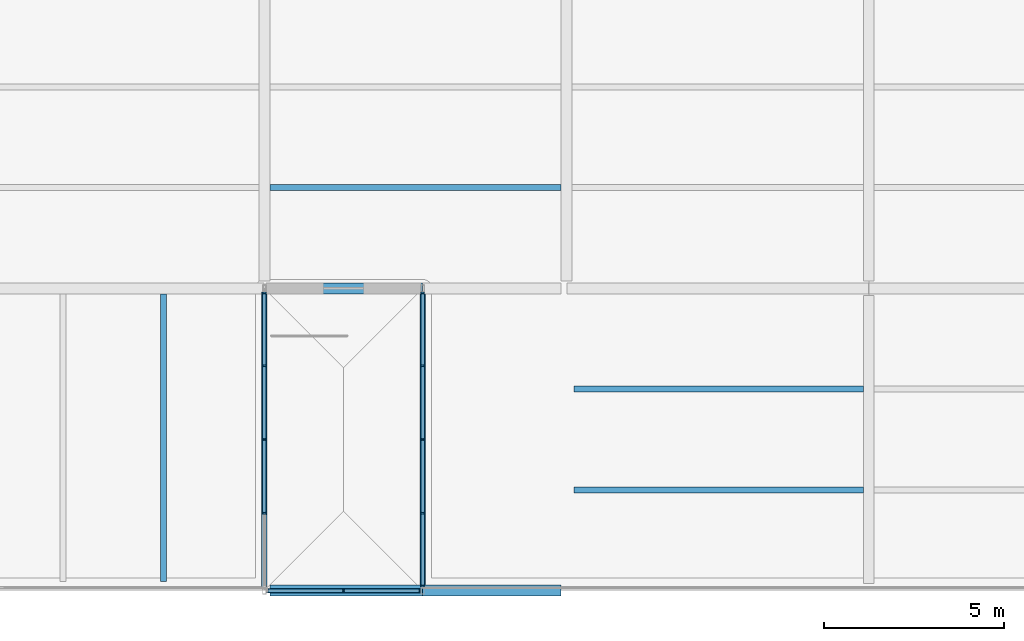
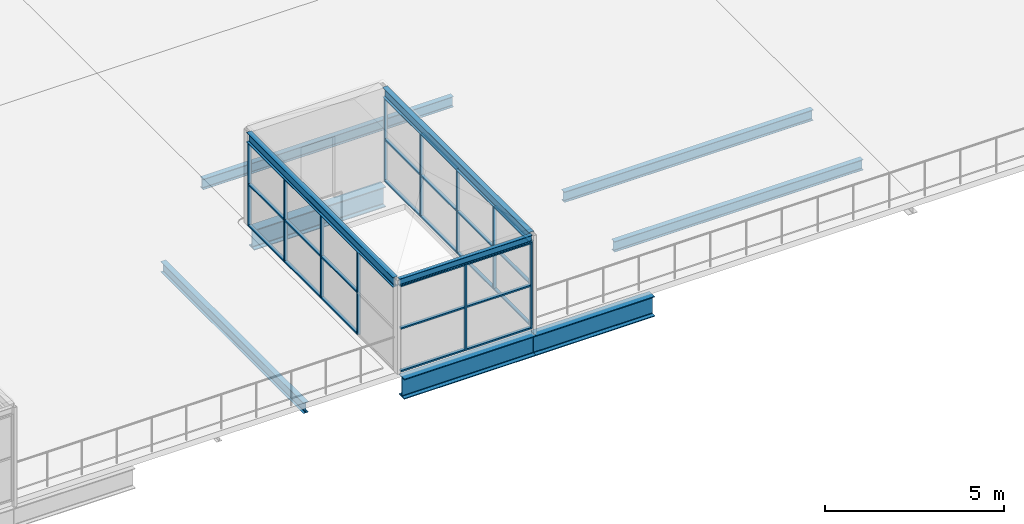
# One storey, part 15 of 58: 38 members, 10 beams, 3 elements without a shape of their own.
"""IFC4 building model written with IfcOpenShell, lengths in metres."""

from ifc_helpers import new_model, si_unit, direction, frame, origin, origin_2d, place, context, subcontext, project, spatial, rectangle, i_section, extrude, material, layer, layer_set, material_profile, profile_set, type_object, element, aggregate, save


model = new_model("IFC4")

# Units and contexts
model_context = context("Model", 3, precision=1e-05, world=origin(), true_north=direction((0.0, 1.0)))
body_context = subcontext(model_context, "Body", "Model", "MODEL_VIEW")
ifc_project = project(units=[si_unit("LENGTHUNIT", "METRE"), si_unit("AREAUNIT", "SQUARE_METRE"), si_unit("VOLUMEUNIT", "CUBIC_METRE"), si_unit("PLANEANGLEUNIT", "RADIAN"), si_unit("MASSUNIT", "GRAM", prefix="KILO")], contexts=[model_context])

# Site, building, storey
site_placement = place(None, origin())
site = spatial("IfcSite", under=ifc_project, at=site_placement, CompositionType="ELEMENT")
building_placement = place(site_placement, origin())
building = spatial("IfcBuilding", under=site, at=building_placement, Name="Galleria Vessillo Department Store", CompositionType="ELEMENT")
storey_placement = place(building_placement, frame((0.0, 0.0, 31.199951171875)))
storey = spatial("IfcBuildingStorey", under=building, at=storey_placement, Name="L06", CompositionType="ELEMENT", Elevation=31.199951171875)

# Curtain wall, members
ifc_material_1 = material(Name="Aluminium and glass curtain wall", Category="aluminium")
ifc_layer = layer(ifc_material_1, 0.10009765625)
ifc_layer_set = layer_set([ifc_layer], Name="Aluminium and glass curtain wall")
curtain_wall_type = type_object("IfcCurtainWallType", Name="Pavilion curtain wall CW5 2100 module", PredefinedType="NOTDEFINED", material=ifc_layer_set)
curtain_wall_1_placement = place(storey_placement, origin())
curtain_wall_1 = element("IfcCurtainWall", 1, at=curtain_wall_1_placement, inside=storey, type_object=curtain_wall_type, Name="Pavilion curtain wall CW5 2100 module PV-ST10-A", PredefinedType="NOTDEFINED")
ifc_material_2 = material(Name="Aluminium alloy 6063 T6", Category="aluminium")
ifc_material_profile_1 = material_profile(ifc_material_2, rectangle(XDim=0.10009765625, YDim=0.050048828125, at=origin_2d()), Name="AL 50x100")
ifc_profile_set_1 = profile_set([ifc_material_profile_1], Name="Aluminium alloy 6063 T6")
member_type_1 = type_object("IfcMemberType", Name="Aluminium mullion 50 x 100", PredefinedType="MULLION", material=ifc_profile_set_1)
member_1_placement = place(storey_placement, frame((50.39990234375, 2.14990234375, 0.0), z_axis=(0.0, 0.0, 1.0), x_axis=(-1.0, 0.0, 0.0)))
member_1 = element("IfcMember", 2, at=member_1_placement, type_object=member_type_1, Name="CW5 mullion 2", PredefinedType="MULLION", context=body_context, shape_type="SweptSolid", body=[
    extrude(rectangle(XDim=0.10009765625, YDim=0.050048828125, at=origin_2d()), origin(), (0.0, 0.0, 1.0), 2.8701171875),
])
member_2_placement = place(storey_placement, frame((50.39990234375, 4.199951171875, 0.0), z_axis=(0.0, 0.0, 1.0), x_axis=(-1.0, 0.0, 0.0)))
member_2 = element("IfcMember", 3, at=member_2_placement, type_object=member_type_1, Name="CW5 mullion 3", PredefinedType="MULLION", context=body_context, shape_type="SweptSolid", body=[
    extrude(rectangle(XDim=0.10009765625, YDim=0.050048828125, at=origin_2d()), origin(), (0.0, 0.0, 1.0), 2.8701171875),
])
member_3_placement = place(storey_placement, frame((50.39990234375, 6.25, 0.0), z_axis=(0.0, 0.0, 1.0), x_axis=(-1.0, 0.0, 0.0)))
member_3 = element("IfcMember", 4, at=member_3_placement, type_object=member_type_1, Name="CW5 mullion 4", PredefinedType="MULLION", context=body_context, shape_type="SweptSolid", body=[
    extrude(rectangle(XDim=0.10009765625, YDim=0.050048828125, at=origin_2d()), origin(), (0.0, 0.0, 1.0), 2.8701171875),
])
member_4_placement = place(storey_placement, frame((50.39990234375, 8.27490234375, 0.0), z_axis=(0.0, 0.0, 1.0), x_axis=(-1.0, 0.0, 0.0)))
member_4 = element("IfcMember", 5, at=member_4_placement, type_object=member_type_1, Name="CW5 mullion 5", PredefinedType="MULLION", context=body_context, shape_type="SweptSolid", body=[
    extrude(rectangle(XDim=0.10009765625, YDim=0.050048828125, at=origin_2d()), origin(), (0.0, 0.0, 1.0), 2.8701171875),
])

curtain_wall_2_placement = place(storey_placement, origin())
curtain_wall_2 = element("IfcCurtainWall", 6, at=curtain_wall_2_placement, inside=storey, type_object=curtain_wall_type, Name="Pavilion curtain wall CW5 2100 module PV-ST10-B", PredefinedType="NOTDEFINED")
member_5_placement = place(storey_placement, frame((54.800048828125, 0.125, 0.0), z_axis=(0.0, 0.0, 1.0), x_axis=(-1.0, 0.0, 0.0)))
member_5 = element("IfcMember", 7, at=member_5_placement, type_object=member_type_1, Name="CW5 mullion 1", PredefinedType="MULLION", context=body_context, shape_type="SweptSolid", body=[
    extrude(rectangle(XDim=0.10009765625, YDim=0.050048828125, at=origin_2d()), origin(), (0.0, 0.0, 1.0), 2.8701171875),
])
member_6_placement = place(storey_placement, frame((54.800048828125, 2.14990234375, 0.0), z_axis=(0.0, 0.0, 1.0), x_axis=(-1.0, 0.0, 0.0)))
member_6 = element("IfcMember", 8, at=member_6_placement, type_object=member_type_1, Name="CW5 mullion 2", PredefinedType="MULLION", context=body_context, shape_type="SweptSolid", body=[
    extrude(rectangle(XDim=0.10009765625, YDim=0.050048828125, at=origin_2d()), origin(), (0.0, 0.0, 1.0), 2.8701171875),
])
member_7_placement = place(storey_placement, frame((54.800048828125, 4.199951171875, 0.0), z_axis=(0.0, 0.0, 1.0), x_axis=(-1.0, 0.0, 0.0)))
member_7 = element("IfcMember", 9, at=member_7_placement, type_object=member_type_1, Name="CW5 mullion 3", PredefinedType="MULLION", context=body_context, shape_type="SweptSolid", body=[
    extrude(rectangle(XDim=0.10009765625, YDim=0.050048828125, at=origin_2d()), origin(), (0.0, 0.0, 1.0), 2.8701171875),
])
member_8_placement = place(storey_placement, frame((54.800048828125, 6.25, 0.0), z_axis=(0.0, 0.0, 1.0), x_axis=(-1.0, 0.0, 0.0)))
member_8 = element("IfcMember", 10, at=member_8_placement, type_object=member_type_1, Name="CW5 mullion 4", PredefinedType="MULLION", context=body_context, shape_type="SweptSolid", body=[
    extrude(rectangle(XDim=0.10009765625, YDim=0.050048828125, at=origin_2d()), origin(), (0.0, 0.0, 1.0), 2.8701171875),
])
member_9_placement = place(storey_placement, frame((54.800048828125, 8.27490234375, 0.0), z_axis=(0.0, 0.0, 1.0), x_axis=(-1.0, 0.0, 0.0)))
member_9 = element("IfcMember", 11, at=member_9_placement, type_object=member_type_1, Name="CW5 mullion 5", PredefinedType="MULLION", context=body_context, shape_type="SweptSolid", body=[
    extrude(rectangle(XDim=0.10009765625, YDim=0.050048828125, at=origin_2d()), origin(), (0.0, 0.0, 1.0), 2.8701171875),
])

curtain_wall_3_placement = place(storey_placement, origin())
curtain_wall_3 = element("IfcCurtainWall", 12, at=curtain_wall_3_placement, inside=storey, type_object=curtain_wall_type, Name="Pavilion curtain wall CW5 2100 module PV-ST10-F", PredefinedType="NOTDEFINED")
member_10_placement = place(storey_placement, frame((52.60009765625, 0.0, 0.0), z_axis=(0.0, 0.0, 1.0), x_axis=(0.0, 1.0, 0.0)))
member_10 = element("IfcMember", 13, at=member_10_placement, type_object=member_type_1, Name="CW5 mullion 2", PredefinedType="MULLION", context=body_context, shape_type="SweptSolid", body=[
    extrude(rectangle(XDim=0.10009765625, YDim=0.050048828125, at=origin_2d()), origin(), (0.0, 0.0, 1.0), 2.960205078125),
])
member_11_placement = place(storey_placement, frame((54.72509765625, 0.0, 0.0), z_axis=(0.0, 0.0, 1.0), x_axis=(0.0, 1.0, 0.0)))
member_11 = element("IfcMember", 14, at=member_11_placement, type_object=member_type_1, Name="CW5 mullion 3", PredefinedType="MULLION", context=body_context, shape_type="SweptSolid", body=[
    extrude(rectangle(XDim=0.10009765625, YDim=0.050048828125, at=origin_2d()), origin(), (0.0, 0.0, 1.0), 2.960205078125),
])

# Member
ifc_material_3 = material(Name="Aluminium alloy 6063 T6", Category="aluminium")
ifc_material_profile_2 = material_profile(ifc_material_3, rectangle(XDim=0.10009765625, YDim=0.050048828125, at=origin_2d()), Name="AL 50x100")
ifc_profile_set_2 = profile_set([ifc_material_profile_2], Name="Aluminium alloy 6063 T6")
member_type_2 = type_object("IfcMemberType", Name="Aluminium transom 50 x 100", PredefinedType="USERDEFINED", material=ifc_profile_set_2)
member_12_placement = place(storey_placement, frame((50.39990234375, 2.175048828125, 0.025146484375), z_axis=(0.0, 1.0, 0.0), x_axis=(-1.0, 0.0, 0.0)))
member_12 = element("IfcMember", 15, at=member_12_placement, type_object=member_type_2, Name="CW5 transom 2.1", ObjectType="TRANSOM", PredefinedType="USERDEFINED", context=body_context, shape_type="SweptSolid", body=[
    extrude(rectangle(XDim=0.10009765625, YDim=0.050048828125, at=origin_2d()), origin(), (0.0, 0.0, 1.0), 2.0),
])

member_13_placement = place(storey_placement, frame((50.39990234375, 2.175048828125, 1.43505859375), z_axis=(0.0, 1.0, 0.0), x_axis=(-1.0, 0.0, 0.0)))
member_13 = element("IfcMember", 16, at=member_13_placement, type_object=member_type_2, Name="CW5 transom 2.2", ObjectType="TRANSOM", PredefinedType="USERDEFINED", context=body_context, shape_type="SweptSolid", body=[
    extrude(rectangle(XDim=0.10009765625, YDim=0.050048828125, at=origin_2d()), origin(), (0.0, 0.0, 1.0), 2.0),
])

member_14_placement = place(storey_placement, frame((50.39990234375, 2.175048828125, 2.84521484375), z_axis=(0.0, 1.0, 0.0), x_axis=(-1.0, 0.0, 0.0)))
member_14 = element("IfcMember", 17, at=member_14_placement, type_object=member_type_2, Name="CW5 transom 2.3", ObjectType="TRANSOM", PredefinedType="USERDEFINED", context=body_context, shape_type="SweptSolid", body=[
    extrude(rectangle(XDim=0.10009765625, YDim=0.050048828125, at=origin_2d()), origin(), (0.0, 0.0, 1.0), 2.0),
])

member_15_placement = place(storey_placement, frame((50.39990234375, 4.224853515625, 0.025146484375), z_axis=(0.0, 1.0, 0.0), x_axis=(-1.0, 0.0, 0.0)))
member_15 = element("IfcMember", 18, at=member_15_placement, type_object=member_type_2, Name="CW5 transom 3.1", ObjectType="TRANSOM", PredefinedType="USERDEFINED", context=body_context, shape_type="SweptSolid", body=[
    extrude(rectangle(XDim=0.10009765625, YDim=0.050048828125, at=origin_2d()), origin(), (0.0, 0.0, 1.0), 2.0),
])

member_16_placement = place(storey_placement, frame((50.39990234375, 4.224853515625, 1.43505859375), z_axis=(0.0, 1.0, 0.0), x_axis=(-1.0, 0.0, 0.0)))
member_16 = element("IfcMember", 19, at=member_16_placement, type_object=member_type_2, Name="CW5 transom 3.2", ObjectType="TRANSOM", PredefinedType="USERDEFINED", context=body_context, shape_type="SweptSolid", body=[
    extrude(rectangle(XDim=0.10009765625, YDim=0.050048828125, at=origin_2d()), origin(), (0.0, 0.0, 1.0), 2.0),
])

member_17_placement = place(storey_placement, frame((50.39990234375, 4.224853515625, 2.84521484375), z_axis=(0.0, 1.0, 0.0), x_axis=(-1.0, 0.0, 0.0)))
member_17 = element("IfcMember", 20, at=member_17_placement, type_object=member_type_2, Name="CW5 transom 3.3", ObjectType="TRANSOM", PredefinedType="USERDEFINED", context=body_context, shape_type="SweptSolid", body=[
    extrude(rectangle(XDim=0.10009765625, YDim=0.050048828125, at=origin_2d()), origin(), (0.0, 0.0, 1.0), 2.0),
])

member_18_placement = place(storey_placement, frame((50.39990234375, 6.27490234375, 0.025146484375), z_axis=(0.0, 1.0, 0.0), x_axis=(-1.0, 0.0, 0.0)))
member_18 = element("IfcMember", 21, at=member_18_placement, type_object=member_type_2, Name="CW5 transom 4.1", ObjectType="TRANSOM", PredefinedType="USERDEFINED", context=body_context, shape_type="SweptSolid", body=[
    extrude(rectangle(XDim=0.10009765625, YDim=0.050048828125, at=origin_2d()), origin(), (0.0, 0.0, 1.0), 1.97509765625),
])

member_19_placement = place(storey_placement, frame((50.39990234375, 6.27490234375, 1.43505859375), z_axis=(0.0, 1.0, 0.0), x_axis=(-1.0, 0.0, 0.0)))
member_19 = element("IfcMember", 22, at=member_19_placement, type_object=member_type_2, Name="CW5 transom 4.2", ObjectType="TRANSOM", PredefinedType="USERDEFINED", context=body_context, shape_type="SweptSolid", body=[
    extrude(rectangle(XDim=0.10009765625, YDim=0.050048828125, at=origin_2d()), origin(), (0.0, 0.0, 1.0), 1.97509765625),
])

member_20_placement = place(storey_placement, frame((50.39990234375, 6.27490234375, 2.84521484375), z_axis=(0.0, 1.0, 0.0), x_axis=(-1.0, 0.0, 0.0)))
member_20 = element("IfcMember", 23, at=member_20_placement, type_object=member_type_2, Name="CW5 transom 4.3", ObjectType="TRANSOM", PredefinedType="USERDEFINED", context=body_context, shape_type="SweptSolid", body=[
    extrude(rectangle(XDim=0.10009765625, YDim=0.050048828125, at=origin_2d()), origin(), (0.0, 0.0, 1.0), 1.97509765625),
])

aggregate(curtain_wall_1, [member_1, member_2, member_3, member_4, member_12, member_13, member_14, member_15, member_16, member_17, member_18, member_19, member_20])

member_21_placement = place(storey_placement, frame((54.800048828125, 0.14990234375, 0.025146484375), z_axis=(0.0, 1.0, 0.0), x_axis=(-1.0, 0.0, 0.0)))
member_21 = element("IfcMember", 24, at=member_21_placement, type_object=member_type_2, Name="CW5 transom 1.1", ObjectType="TRANSOM", PredefinedType="USERDEFINED", context=body_context, shape_type="SweptSolid", body=[
    extrude(rectangle(XDim=0.10009765625, YDim=0.050048828125, at=origin_2d()), origin(), (0.0, 0.0, 1.0), 1.97509765625),
])

member_22_placement = place(storey_placement, frame((54.800048828125, 0.14990234375, 1.43505859375), z_axis=(0.0, 1.0, 0.0), x_axis=(-1.0, 0.0, 0.0)))
member_22 = element("IfcMember", 25, at=member_22_placement, type_object=member_type_2, Name="CW5 transom 1.2", ObjectType="TRANSOM", PredefinedType="USERDEFINED", context=body_context, shape_type="SweptSolid", body=[
    extrude(rectangle(XDim=0.10009765625, YDim=0.050048828125, at=origin_2d()), origin(), (0.0, 0.0, 1.0), 1.97509765625),
])

member_23_placement = place(storey_placement, frame((54.800048828125, 0.14990234375, 2.84521484375), z_axis=(0.0, 1.0, 0.0), x_axis=(-1.0, 0.0, 0.0)))
member_23 = element("IfcMember", 26, at=member_23_placement, type_object=member_type_2, Name="CW5 transom 1.3", ObjectType="TRANSOM", PredefinedType="USERDEFINED", context=body_context, shape_type="SweptSolid", body=[
    extrude(rectangle(XDim=0.10009765625, YDim=0.050048828125, at=origin_2d()), origin(), (0.0, 0.0, 1.0), 1.97509765625),
])

member_24_placement = place(storey_placement, frame((54.800048828125, 2.175048828125, 0.025146484375), z_axis=(0.0, 1.0, 0.0), x_axis=(-1.0, 0.0, 0.0)))
member_24 = element("IfcMember", 27, at=member_24_placement, type_object=member_type_2, Name="CW5 transom 2.1", ObjectType="TRANSOM", PredefinedType="USERDEFINED", context=body_context, shape_type="SweptSolid", body=[
    extrude(rectangle(XDim=0.10009765625, YDim=0.050048828125, at=origin_2d()), origin(), (0.0, 0.0, 1.0), 2.0),
])

member_25_placement = place(storey_placement, frame((54.800048828125, 2.175048828125, 1.43505859375), z_axis=(0.0, 1.0, 0.0), x_axis=(-1.0, 0.0, 0.0)))
member_25 = element("IfcMember", 28, at=member_25_placement, type_object=member_type_2, Name="CW5 transom 2.2", ObjectType="TRANSOM", PredefinedType="USERDEFINED", context=body_context, shape_type="SweptSolid", body=[
    extrude(rectangle(XDim=0.10009765625, YDim=0.050048828125, at=origin_2d()), origin(), (0.0, 0.0, 1.0), 2.0),
])

member_26_placement = place(storey_placement, frame((54.800048828125, 2.175048828125, 2.84521484375), z_axis=(0.0, 1.0, 0.0), x_axis=(-1.0, 0.0, 0.0)))
member_26 = element("IfcMember", 29, at=member_26_placement, type_object=member_type_2, Name="CW5 transom 2.3", ObjectType="TRANSOM", PredefinedType="USERDEFINED", context=body_context, shape_type="SweptSolid", body=[
    extrude(rectangle(XDim=0.10009765625, YDim=0.050048828125, at=origin_2d()), origin(), (0.0, 0.0, 1.0), 2.0),
])

member_27_placement = place(storey_placement, frame((54.800048828125, 4.224853515625, 0.025146484375), z_axis=(0.0, 1.0, 0.0), x_axis=(-1.0, 0.0, 0.0)))
member_27 = element("IfcMember", 30, at=member_27_placement, type_object=member_type_2, Name="CW5 transom 3.1", ObjectType="TRANSOM", PredefinedType="USERDEFINED", context=body_context, shape_type="SweptSolid", body=[
    extrude(rectangle(XDim=0.10009765625, YDim=0.050048828125, at=origin_2d()), origin(), (0.0, 0.0, 1.0), 2.0),
])

member_28_placement = place(storey_placement, frame((54.800048828125, 4.224853515625, 1.43505859375), z_axis=(0.0, 1.0, 0.0), x_axis=(-1.0, 0.0, 0.0)))
member_28 = element("IfcMember", 31, at=member_28_placement, type_object=member_type_2, Name="CW5 transom 3.2", ObjectType="TRANSOM", PredefinedType="USERDEFINED", context=body_context, shape_type="SweptSolid", body=[
    extrude(rectangle(XDim=0.10009765625, YDim=0.050048828125, at=origin_2d()), origin(), (0.0, 0.0, 1.0), 2.0),
])

member_29_placement = place(storey_placement, frame((54.800048828125, 4.224853515625, 2.84521484375), z_axis=(0.0, 1.0, 0.0), x_axis=(-1.0, 0.0, 0.0)))
member_29 = element("IfcMember", 32, at=member_29_placement, type_object=member_type_2, Name="CW5 transom 3.3", ObjectType="TRANSOM", PredefinedType="USERDEFINED", context=body_context, shape_type="SweptSolid", body=[
    extrude(rectangle(XDim=0.10009765625, YDim=0.050048828125, at=origin_2d()), origin(), (0.0, 0.0, 1.0), 2.0),
])

member_30_placement = place(storey_placement, frame((54.800048828125, 6.27490234375, 0.025146484375), z_axis=(0.0, 1.0, 0.0), x_axis=(-1.0, 0.0, 0.0)))
member_30 = element("IfcMember", 33, at=member_30_placement, type_object=member_type_2, Name="CW5 transom 4.1", ObjectType="TRANSOM", PredefinedType="USERDEFINED", context=body_context, shape_type="SweptSolid", body=[
    extrude(rectangle(XDim=0.10009765625, YDim=0.050048828125, at=origin_2d()), origin(), (0.0, 0.0, 1.0), 1.97509765625),
])

member_31_placement = place(storey_placement, frame((54.800048828125, 6.27490234375, 1.43505859375), z_axis=(0.0, 1.0, 0.0), x_axis=(-1.0, 0.0, 0.0)))
member_31 = element("IfcMember", 34, at=member_31_placement, type_object=member_type_2, Name="CW5 transom 4.2", ObjectType="TRANSOM", PredefinedType="USERDEFINED", context=body_context, shape_type="SweptSolid", body=[
    extrude(rectangle(XDim=0.10009765625, YDim=0.050048828125, at=origin_2d()), origin(), (0.0, 0.0, 1.0), 1.97509765625),
])

member_32_placement = place(storey_placement, frame((54.800048828125, 6.27490234375, 2.84521484375), z_axis=(0.0, 1.0, 0.0), x_axis=(-1.0, 0.0, 0.0)))
member_32 = element("IfcMember", 35, at=member_32_placement, type_object=member_type_2, Name="CW5 transom 4.3", ObjectType="TRANSOM", PredefinedType="USERDEFINED", context=body_context, shape_type="SweptSolid", body=[
    extrude(rectangle(XDim=0.10009765625, YDim=0.050048828125, at=origin_2d()), origin(), (0.0, 0.0, 1.0), 1.97509765625),
])

aggregate(curtain_wall_2, [member_5, member_6, member_7, member_8, member_9, member_21, member_22, member_23, member_24, member_25, member_26, member_27, member_28, member_29, member_30, member_31, member_32])

member_33_placement = place(storey_placement, frame((50.5, 0.0, 0.025146484375), z_axis=(1.0, 0.0, 0.0), x_axis=(0.0, 1.0, 0.0)))
member_33 = element("IfcMember", 36, at=member_33_placement, type_object=member_type_2, Name="CW5 transom 1.1", ObjectType="TRANSOM", PredefinedType="USERDEFINED", context=body_context, shape_type="SweptSolid", body=[
    extrude(rectangle(XDim=0.10009765625, YDim=0.050048828125, at=origin_2d()), origin(), (0.0, 0.0, 1.0), 2.074951171875),
])

member_34_placement = place(storey_placement, frame((50.5, 0.0, 1.480224609375), z_axis=(1.0, 0.0, 0.0), x_axis=(0.0, 1.0, 0.0)))
member_34 = element("IfcMember", 37, at=member_34_placement, type_object=member_type_2, Name="CW5 transom 1.2", ObjectType="TRANSOM", PredefinedType="USERDEFINED", context=body_context, shape_type="SweptSolid", body=[
    extrude(rectangle(XDim=0.10009765625, YDim=0.050048828125, at=origin_2d()), origin(), (0.0, 0.0, 1.0), 2.074951171875),
])

member_35_placement = place(storey_placement, frame((50.5, 0.0, 2.935302734375), z_axis=(1.0, 0.0, 0.0), x_axis=(0.0, 1.0, 0.0)))
member_35 = element("IfcMember", 38, at=member_35_placement, type_object=member_type_2, Name="CW5 transom 1.3", ObjectType="TRANSOM", PredefinedType="USERDEFINED", context=body_context, shape_type="SweptSolid", body=[
    extrude(rectangle(XDim=0.10009765625, YDim=0.050048828125, at=origin_2d()), origin(), (0.0, 0.0, 1.0), 2.074951171875),
])

member_36_placement = place(storey_placement, frame((52.625, 0.0, 0.025146484375), z_axis=(1.0, 0.0, 0.0), x_axis=(0.0, 1.0, 0.0)))
member_36 = element("IfcMember", 39, at=member_36_placement, type_object=member_type_2, Name="CW5 transom 2.1", ObjectType="TRANSOM", PredefinedType="USERDEFINED", context=body_context, shape_type="SweptSolid", body=[
    extrude(rectangle(XDim=0.10009765625, YDim=0.050048828125, at=origin_2d()), origin(), (0.0, 0.0, 1.0), 2.074951171875),
])

member_37_placement = place(storey_placement, frame((52.625, 0.0, 1.480224609375), z_axis=(1.0, 0.0, 0.0), x_axis=(0.0, 1.0, 0.0)))
member_37 = element("IfcMember", 40, at=member_37_placement, type_object=member_type_2, Name="CW5 transom 2.2", ObjectType="TRANSOM", PredefinedType="USERDEFINED", context=body_context, shape_type="SweptSolid", body=[
    extrude(rectangle(XDim=0.10009765625, YDim=0.050048828125, at=origin_2d()), origin(), (0.0, 0.0, 1.0), 2.074951171875),
])

member_38_placement = place(storey_placement, frame((52.625, 0.0, 2.935302734375), z_axis=(1.0, 0.0, 0.0), x_axis=(0.0, 1.0, 0.0)))
member_38 = element("IfcMember", 41, at=member_38_placement, type_object=member_type_2, Name="CW5 transom 2.3", ObjectType="TRANSOM", PredefinedType="USERDEFINED", context=body_context, shape_type="SweptSolid", body=[
    extrude(rectangle(XDim=0.10009765625, YDim=0.050048828125, at=origin_2d()), origin(), (0.0, 0.0, 1.0), 2.074951171875),
])

aggregate(curtain_wall_3, [member_10, member_11, member_33, member_34, member_35, member_36, member_37, member_38])

# Beams
ifc_material_4 = material(Name="Steel S355 J2", Category="steel")
ifc_material_profile_3 = material_profile(ifc_material_4, i_section(OverallWidth=0.169921875, OverallDepth=0.360107421875, WebThickness=0.008056640625, FlangeThickness=0.0126953125, FilletRadius=0.01806640625, at=origin_2d()), Name="IPE 360")
ifc_profile_set_3 = profile_set([ifc_material_profile_3], Name="Steel S355 J2")
beam_type_1 = type_object("IfcBeamType", Name="Floor joist IPE 360", PredefinedType="JOIST", material=ifc_profile_set_3)
beam_1_placement = place(storey_placement, frame((47.60009765625, 0.250244140625, -0.3798828125), z_axis=(0.0, 1.0, 0.0), x_axis=(-1.0, 0.0, 0.0)))
element("IfcBeam", 42, at=beam_1_placement, inside=storey, type_object=beam_type_1, Name="S-BM-L06-JO-y47600-250", PredefinedType="JOIST", context=body_context, shape_type="SweptSolid", body=[
    extrude(i_section(OverallWidth=0.169921875, OverallDepth=0.360107421875, WebThickness=0.008056640625, FlangeThickness=0.0126953125, FilletRadius=0.01806640625, at=origin_2d()), origin(), (0.0, 0.0, 1.0), 7.99951171875),
])
beam_2_placement = place(storey_placement, frame((50.550048828125, 11.199951171875, -0.3798828125), z_axis=(1.0, 0.0, 0.0), x_axis=(0.0, 1.0, 0.0)))
element("IfcBeam", 43, at=beam_2_placement, inside=storey, type_object=beam_type_1, Name="S-BM-L06-JO-x11200-50550", PredefinedType="JOIST", context=body_context, shape_type="SweptSolid", body=[
    extrude(i_section(OverallWidth=0.169921875, OverallDepth=0.360107421875, WebThickness=0.008056640625, FlangeThickness=0.0126953125, FilletRadius=0.01806640625, at=origin_2d()), origin(), (0.0, 0.0, 1.0), 8.099853515625),
])
for number, where, z_axis, x_axis, name in (
    (44, (59.000244140625, 2.800048828125, -0.3798828125), (1.0, 0.0, 0.0), (0.0, 1.0, 0.0), "S-BM-L06-JO-x2800-59000"),
    (45, (59.000244140625, 5.60009765625, -0.3798828125), (1.0, 0.0, 0.0), (0.0, 1.0, 0.0), "S-BM-L06-JO-x5600-59000"),
):
    element("IfcBeam", number, at=place(storey_placement, frame(where, z_axis=z_axis, x_axis=x_axis)), inside=storey, type_object=beam_type_1, Name=name, PredefinedType="JOIST", context=body_context, shape_type="SweptSolid", body=[
        extrude(i_section(OverallWidth=0.169921875, OverallDepth=0.360107421875, WebThickness=0.008056640625, FlangeThickness=0.0126953125, FilletRadius=0.01806640625, at=origin_2d()), origin(), (0.0, 0.0, 1.0), 8.049560546875),
    ])
ifc_material_5 = material(Name="Steel S355 J2", Category="steel")
ifc_material_profile_4 = material_profile(ifc_material_5, i_section(OverallWidth=0.300048828125, OverallDepth=0.68994140625, WebThickness=0.014404296875, FlangeThickness=0.027099609375, FilletRadius=0.027099609375, at=origin_2d()), Name="HEA 700")
ifc_profile_set_4 = profile_set([ifc_material_profile_4], Name="Steel S355 J2")
beam_type_2 = type_object("IfcBeamType", Name="Pavilion base beam HEA 700", PredefinedType="BEAM", material=ifc_profile_set_4)
beam_3_placement = place(storey_placement, frame((50.550048828125, 0.0, -0.544921875), z_axis=(1.0, 0.0, 0.0), x_axis=(0.0, 1.0, 0.0)))
element("IfcBeam", 46, at=beam_3_placement, inside=storey, type_object=beam_type_2, Name="S-BB-ST10-PE1", PredefinedType="BEAM", context=body_context, shape_type="SweptSolid", body=[
    extrude(i_section(OverallWidth=0.300048828125, OverallDepth=0.68994140625, WebThickness=0.014404296875, FlangeThickness=0.027099609375, FilletRadius=0.027099609375, at=origin_2d()), origin(), (0.0, 0.0, 1.0), 4.249755859375),
])
beam_4_placement = place(storey_placement, frame((54.80029296875, 0.0, -0.544921875), z_axis=(1.0, 0.0, 0.0), x_axis=(0.0, 1.0, 0.0)))
element("IfcBeam", 47, at=beam_4_placement, inside=storey, type_object=beam_type_2, Name="S-BB-ST10-PE2", PredefinedType="BEAM", context=body_context, shape_type="SweptSolid", body=[
    extrude(i_section(OverallWidth=0.300048828125, OverallDepth=0.68994140625, WebThickness=0.014404296875, FlangeThickness=0.027099609375, FilletRadius=0.027099609375, at=origin_2d()), origin(), (0.0, 0.0, 1.0), 3.849609375),
])
beam_5_placement = place(storey_placement, frame((50.550048828125, 8.39990234375, -0.544921875), z_axis=(1.0, 0.0, 0.0), x_axis=(0.0, 1.0, 0.0)))
element("IfcBeam", 48, at=beam_5_placement, inside=storey, type_object=beam_type_2, Name="S-BB-ST10-DE1", PredefinedType="BEAM", context=body_context, shape_type="SweptSolid", body=[
    extrude(i_section(OverallWidth=0.300048828125, OverallDepth=0.68994140625, WebThickness=0.014404296875, FlangeThickness=0.027099609375, FilletRadius=0.027099609375, at=origin_2d()), origin(), (0.0, 0.0, 1.0), 4.249755859375),
])
ifc_material_6 = material(Name="Steel S355 J2", Category="steel")
ifc_material_profile_5 = material_profile(ifc_material_6, i_section(OverallWidth=0.1201171875, OverallDepth=0.239990234375, WebThickness=0.006103515625, FlangeThickness=0.009765625, FilletRadius=0.014892578125, at=origin_2d()), Name="IPE 240")
ifc_profile_set_5 = profile_set([ifc_material_profile_5], Name="Steel S355 J2")
beam_type_3 = type_object("IfcBeamType", Name="Roof end beam IPE 240", PredefinedType="BEAM", material=ifc_profile_set_5)
beam_6_placement = place(storey_placement, frame((50.449951171875, 0.0, 3.080078125), z_axis=(1.0, 0.0, 0.0), x_axis=(0.0, 1.0, 0.0)))
element("IfcBeam", 49, at=beam_6_placement, inside=storey, type_object=beam_type_3, Name="S-RB-ST10-P", PredefinedType="BEAM", context=body_context, shape_type="SweptSolid", body=[
    extrude(i_section(OverallWidth=0.1201171875, OverallDepth=0.239990234375, WebThickness=0.006103515625, FlangeThickness=0.009765625, FilletRadius=0.014892578125, at=origin_2d()), origin(), (0.0, 0.0, 1.0), 4.300048828125),
])
ifc_material_7 = material(Name="Steel S355 J2", Category="steel")
ifc_material_profile_6 = material_profile(ifc_material_7, i_section(OverallWidth=0.159912109375, OverallDepth=0.330078125, WebThickness=0.007568359375, FlangeThickness=0.011474609375, FilletRadius=0.01806640625, at=origin_2d()), Name="IPE 330")
ifc_profile_set_6 = profile_set([ifc_material_profile_6], Name="Steel S355 J2")
beam_type_4 = type_object("IfcBeamType", Name="Roof side beam IPE 330", PredefinedType="BEAM", material=ifc_profile_set_6)
for number, where, z_axis, x_axis, name in (
    (50, (50.39990234375, 0.10009765625, 3.03515625), (0.0, 1.0, 0.0), (-1.0, 0.0, 0.0), "S-RB-ST10-W"),
    (51, (54.800048828125, 0.10009765625, 3.03515625), (0.0, 1.0, 0.0), (-1.0, 0.0, 0.0), "S-RB-ST10-E"),
):
    element("IfcBeam", number, at=place(storey_placement, frame(where, z_axis=z_axis, x_axis=x_axis)), inside=storey, type_object=beam_type_4, Name=name, PredefinedType="BEAM", context=body_context, shape_type="SweptSolid", body=[
        extrude(i_section(OverallWidth=0.159912109375, OverallDepth=0.330078125, WebThickness=0.007568359375, FlangeThickness=0.011474609375, FilletRadius=0.01806640625, at=origin_2d()), origin(), (0.0, 0.0, 1.0), 8.19970703125),
    ])

save(model, "model.ifc")
